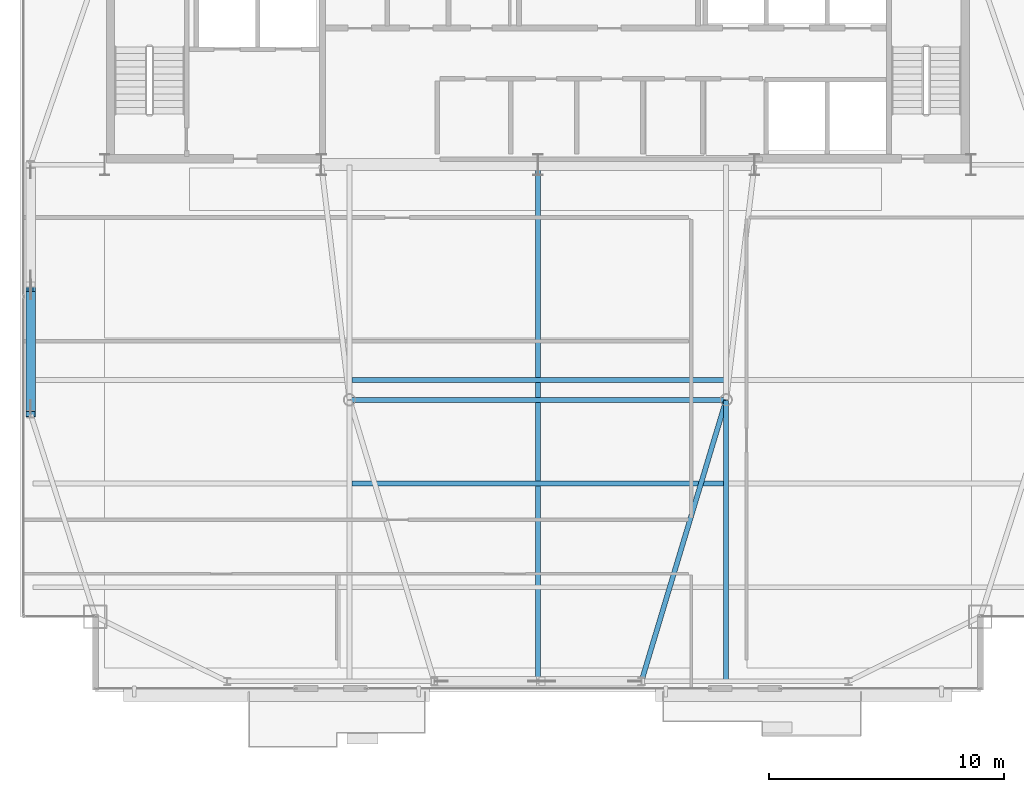
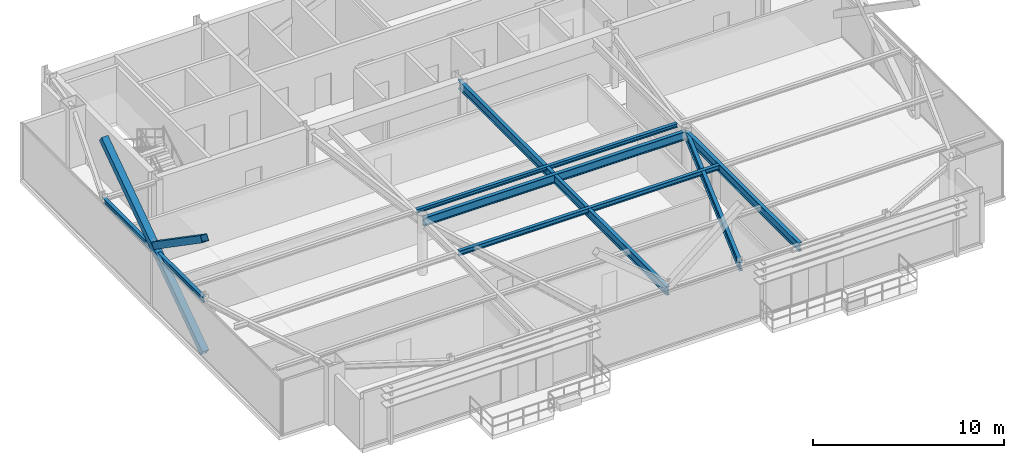
# One storey, part 8 of 25: 7 beams, 2 members.
"""IFC4 building model written with IfcOpenShell, lengths in metres."""

from ifc_helpers import new_model, si_unit, direction, frame, origin, origin_2d, place, context, subcontext, project, spatial, hollow_rectangle, i_section, extrude, source, transform, mapped, material, material_profile, profile_set, type_object, type_shapes, element, save


model = new_model("IFC4")

# Units and contexts
model_context = context("Model", 3, precision=1e-05, world=origin(), true_north=direction((0.0, 1.0)))
body_context = subcontext(model_context, "Body", "Model", "MODEL_VIEW")
ifc_project = project(units=[si_unit("LENGTHUNIT", "METRE"), si_unit("AREAUNIT", "SQUARE_METRE"), si_unit("VOLUMEUNIT", "CUBIC_METRE"), si_unit("PLANEANGLEUNIT", "RADIAN"), si_unit("MASSUNIT", "GRAM", prefix="KILO")], contexts=[model_context])

# Site, building, storey
site_placement = place(None, origin())
site = spatial("IfcSite", under=ifc_project, at=site_placement, CompositionType="ELEMENT")
building_placement = place(site_placement, origin())
building = spatial("IfcBuilding", under=site, at=building_placement, Name="Varnel Quay Broadcast Tower", CompositionType="ELEMENT")
storey_placement = place(building_placement, frame((0.0, 0.0, 288.800048828125)))
storey = spatial("IfcBuildingStorey", under=building, at=storey_placement, Name="L72", CompositionType="ELEMENT", Elevation=288.800048828125)

# Beams
ifc_material = material(Name="Structural Steel CSA G40.21 350W", Category="steel")
ifc_material_profile_1 = material_profile(ifc_material, i_section(OverallWidth=0.205078125, OverallDepth=0.35400390625, WebThickness=0.009521484375, FlangeThickness=0.016845703125, FilletRadius=0.012939453125, at=origin_2d()), Name="W360X79")
ifc_profile_set_1 = profile_set([ifc_material_profile_1], Name="Structural Steel CSA G40.21 350W")
beam_type_1 = type_object("IfcBeamType", Name="Beam_W360X79", PredefinedType="SPANDREL", material=ifc_profile_set_1)
shared_shape_1 = source(origin(), body_context, "Body", "SweptSolid", [
    extrude(i_section(OverallWidth=0.205078125, OverallDepth=0.35400390625, WebThickness=0.009521484375, FlangeThickness=0.016845703125, FilletRadius=0.012939453125, at=origin_2d()), origin(), (0.0, 0.0, 1.0), 10.56005859375),
])
type_shapes(beam_type_1, [shared_shape_1])
beam_1_placement = place(storey_placement, frame((12.449951171875, 25.02001953125, 3.373046875), z_axis=(0.0, 1.0, 0.0), x_axis=(-1.0, 0.0, 0.0)))
element("IfcBeam", 1, at=beam_1_placement, inside=storey, type_object=beam_type_1, Name="L72 West Spandrel TC-W1-TC-W2", PredefinedType="SPANDREL", context=body_context, shape_type="MappedRepresentation", body=[
    mapped(shared_shape_1, transform((0.0, 0.0, 0.0), x_axis=(1.0, 0.0, 0.0), y_axis=(0.0, 1.0, 0.0), z_axis=(0.0, 0.0, 1.0), scale=1.0)),
])
ifc_material_profile_2 = material_profile(ifc_material, i_section(OverallWidth=0.2119140625, OverallDepth=0.5439453125, WebThickness=0.01318359375, FlangeThickness=0.021240234375, FilletRadius=0.013916015625, at=origin_2d()), Name="W530X123")
ifc_profile_set_2 = profile_set([ifc_material_profile_2], Name="Structural Steel CSA G40.21 350W")
beam_type_2 = type_object("IfcBeamType", Name="Girder_W530X123", PredefinedType="BEAM", material=ifc_profile_set_2)
shared_shape_2 = source(origin(), body_context, "Body", "SweptSolid", [
    extrude(i_section(OverallWidth=0.2119140625, OverallDepth=0.5439453125, WebThickness=0.01318359375, FlangeThickness=0.021240234375, FilletRadius=0.013916015625, at=origin_2d()), origin(), (0.0, 0.0, 1.0), 12.449951171875),
])
beam_2_placement = place(storey_placement, frame((38.40576171875, 13.669189453125, 3.27783203125), z_axis=(0.28822390679, 0.957563042078, 0.0), x_axis=(-0.957563042078, 0.28822390679, 0.0)))
element("IfcBeam", 2, at=beam_2_placement, inside=storey, type_object=beam_type_2, Name="L72 Primary Girder TC-S3-IC-02", PredefinedType="BEAM", context=body_context, shape_type="MappedRepresentation", body=[
    mapped(shared_shape_2, transform((0.0, 0.0, 0.0), x_axis=(1.0, 0.0, 0.0), y_axis=(0.0, 1.0, 0.0), z_axis=(0.0, 0.0, 1.0), scale=1.0)),
])
shared_shape_3 = source(origin(), body_context, "Body", "SweptSolid", [
    extrude(i_section(OverallWidth=0.2119140625, OverallDepth=0.5439453125, WebThickness=0.01318359375, FlangeThickness=0.021240234375, FilletRadius=0.013916015625, at=origin_2d()), origin(), (0.0, 0.0, 1.0), 15.9599609375),
])
beam_3_placement = place(storey_placement, frame((26.02001953125, 25.610107421875, 3.27783203125), z_axis=(1.0, 0.0, 0.0), x_axis=(0.0, 1.0, 0.0)))
element("IfcBeam", 3, at=beam_3_placement, inside=storey, type_object=beam_type_2, Name="L72 Interior Spine Girder", PredefinedType="BEAM", context=body_context, shape_type="MappedRepresentation", body=[
    mapped(shared_shape_3, transform((0.0, 0.0, 0.0), x_axis=(1.0, 0.0, 0.0), y_axis=(0.0, 1.0, 0.0), z_axis=(0.0, 0.0, 1.0), scale=1.0)),
])
shared_shape_4 = source(origin(), body_context, "Body", "SweptSolid", [
    extrude(i_section(OverallWidth=0.2119140625, OverallDepth=0.5439453125, WebThickness=0.01318359375, FlangeThickness=0.021240234375, FilletRadius=0.013916015625, at=origin_2d()), origin(), (0.0, 0.0, 1.0), 21.91015625),
])
beam_4_placement = place(storey_placement, frame((34.0, 13.669921875, 3.27783203125), z_axis=(0.0, 1.0, 0.0), x_axis=(-1.0, 0.0, 0.0)))
element("IfcBeam", 4, at=beam_4_placement, inside=storey, type_object=beam_type_2, Name="L72 Central Bay Girder", PredefinedType="BEAM", context=body_context, shape_type="MappedRepresentation", body=[
    mapped(shared_shape_4, transform((0.0, 0.0, 0.0), x_axis=(1.0, 0.0, 0.0), y_axis=(0.0, 1.0, 0.0), z_axis=(0.0, 0.0, 1.0), scale=1.0)),
])
shared_shape_5 = source(origin(), body_context, "Body", "SweptSolid", [
    extrude(i_section(OverallWidth=0.2119140625, OverallDepth=0.5439453125, WebThickness=0.01318359375, FlangeThickness=0.021240234375, FilletRadius=0.013916015625, at=origin_2d()), origin(), (0.0, 0.0, 1.0), 11.920166015625),
])
type_shapes(beam_type_2, [shared_shape_2, shared_shape_3, shared_shape_4, shared_shape_5])
beam_5_placement = place(storey_placement, frame((42.0, 13.669921875, 3.27783203125), z_axis=(0.0, 1.0, 0.0), x_axis=(-1.0, 0.0, 0.0)))
element("IfcBeam", 5, at=beam_5_placement, inside=storey, type_object=beam_type_2, Name="L72 N-S Joist Header IC-02S", PredefinedType="BEAM", context=body_context, shape_type="MappedRepresentation", body=[
    mapped(shared_shape_5, transform((0.0, 0.0, 0.0), x_axis=(1.0, 0.0, 0.0), y_axis=(0.0, 1.0, 0.0), z_axis=(0.0, 0.0, 1.0), scale=1.0)),
])
ifc_material_profile_3 = material_profile(ifc_material, i_section(OverallWidth=0.201904296875, OverallDepth=0.2470703125, WebThickness=0.00732421875, FlangeThickness=0.010986328125, FilletRadius=0.010986328125, at=origin_2d()), Name="W250X49")
ifc_profile_set_3 = profile_set([ifc_material_profile_3], Name="Structural Steel CSA G40.21 350W")
beam_type_3 = type_object("IfcBeamType", Name="Beam_W250X49", PredefinedType="JOIST", material=ifc_profile_set_3)
shared_shape_6 = source(origin(), body_context, "Body", "SweptSolid", [
    extrude(i_section(OverallWidth=0.201904296875, OverallDepth=0.2470703125, WebThickness=0.00732421875, FlangeThickness=0.010986328125, FilletRadius=0.010986328125, at=origin_2d()), origin(), (0.0, 0.0, 1.0), 15.7978515625),
])
type_shapes(beam_type_3, [shared_shape_6])
beam_6_placement = place(storey_placement, frame((26.10107421875, 26.449951171875, 3.426513671875), z_axis=(1.0, 0.0, 0.0), x_axis=(0.0, 1.0, 0.0)))
element("IfcBeam", 6, at=beam_6_placement, inside=storey, type_object=beam_type_3, Name="L72 Central Floor Joist 3", PredefinedType="JOIST", context=body_context, shape_type="MappedRepresentation", body=[
    mapped(shared_shape_6, transform((0.0, 0.0, 0.0), x_axis=(1.0, 0.0, 0.0), y_axis=(0.0, 1.0, 0.0), z_axis=(0.0, 0.0, 1.0), scale=1.0)),
])
ifc_material_profile_4 = material_profile(ifc_material, i_section(OverallWidth=0.202880859375, OverallDepth=0.302978515625, WebThickness=0.007568359375, FlangeThickness=0.01318359375, FilletRadius=0.011962890625, at=origin_2d()), Name="W310X60")
ifc_profile_set_4 = profile_set([ifc_material_profile_4], Name="Structural Steel CSA G40.21 350W")
beam_type_4 = type_object("IfcBeamType", Name="Beam_W310X60", PredefinedType="JOIST", material=ifc_profile_set_4)
shared_shape_7 = source(origin(), body_context, "Body", "SweptSolid", [
    extrude(i_section(OverallWidth=0.202880859375, OverallDepth=0.302978515625, WebThickness=0.007568359375, FlangeThickness=0.01318359375, FilletRadius=0.011962890625, at=origin_2d()), origin(), (0.0, 0.0, 1.0), 15.7978515625),
])
type_shapes(beam_type_4, [shared_shape_7])
beam_7_placement = place(storey_placement, frame((26.10107421875, 22.050048828125, 3.3984375), z_axis=(1.0, 0.0, 0.0), x_axis=(0.0, 1.0, 0.0)))
element("IfcBeam", 7, at=beam_7_placement, inside=storey, type_object=beam_type_4, Name="L72 Central Floor Joist 2", PredefinedType="JOIST", context=body_context, shape_type="MappedRepresentation", body=[
    mapped(shared_shape_7, transform((0.0, 0.0, 0.0), x_axis=(1.0, 0.0, 0.0), y_axis=(0.0, 1.0, 0.0), z_axis=(0.0, 0.0, 1.0), scale=1.0)),
])

# Members
ifc_material_profile_5 = material_profile(ifc_material, hollow_rectangle(XDim=0.406005859375, YDim=0.406005859375, WallThickness=0.01611328125, at=origin_2d()), Name="HSS406X406X16")
ifc_profile_set_5 = profile_set([ifc_material_profile_5], Name="Structural Steel CSA G40.21 350W")
member_type = type_object("IfcMemberType", Name="Brace_HSS406X406X16", PredefinedType="BRACE", material=ifc_profile_set_5)
shared_shape_8 = source(origin(), body_context, "Body", "SweptSolid", [
    extrude(hollow_rectangle(XDim=0.406005859375, YDim=0.406005859375, WallThickness=0.01611328125, at=origin_2d()), origin(), (0.0, 0.0, 1.0), 12.876220703125),
])
member_1_placement = place(storey_placement, frame((12.449951171875, 25.0, 0.02001953125), z_axis=(0.0, 0.823234480846, 0.567701496868), x_axis=(-1.0, 0.0, 0.0)))
element("IfcMember", 8, at=member_1_placement, inside=storey, type_object=member_type, Name="Zone 5 Mega-Brace W-FT3 Continuous Diag A", PredefinedType="BRACE", context=body_context, shape_type="MappedRepresentation", body=[
    mapped(shared_shape_8, transform((0.0, 0.0, 0.0), x_axis=(1.0, 0.0, 0.0), y_axis=(0.0, 1.0, 0.0), z_axis=(0.0, 0.0, 1.0), scale=1.0)),
])
shared_shape_9 = source(origin(), body_context, "Body", "SweptSolid", [
    extrude(hollow_rectangle(XDim=0.406005859375, YDim=0.406005859375, WallThickness=0.01611328125, at=origin_2d()), origin(), (0.0, 0.0, 1.0), 6.19580078125),
])
type_shapes(member_type, [shared_shape_8, shared_shape_9])
member_2_placement = place(storey_placement, frame((12.449951171875, 30.1005859375, 3.8125), z_axis=(0.0, -0.823236281778, 0.567698885295), x_axis=(1.0, 0.0, 0.0)))
element("IfcMember", 9, at=member_2_placement, inside=storey, type_object=member_type, Name="Zone 5 Mega-Brace W-FT3 Split Diag B2", PredefinedType="BRACE", context=body_context, shape_type="MappedRepresentation", body=[
    mapped(shared_shape_9, transform((0.0, 0.0, 0.0), x_axis=(1.0, 0.0, 0.0), y_axis=(0.0, 1.0, 0.0), z_axis=(0.0, 0.0, 1.0), scale=1.0)),
])

save(model, "model.ifc")
